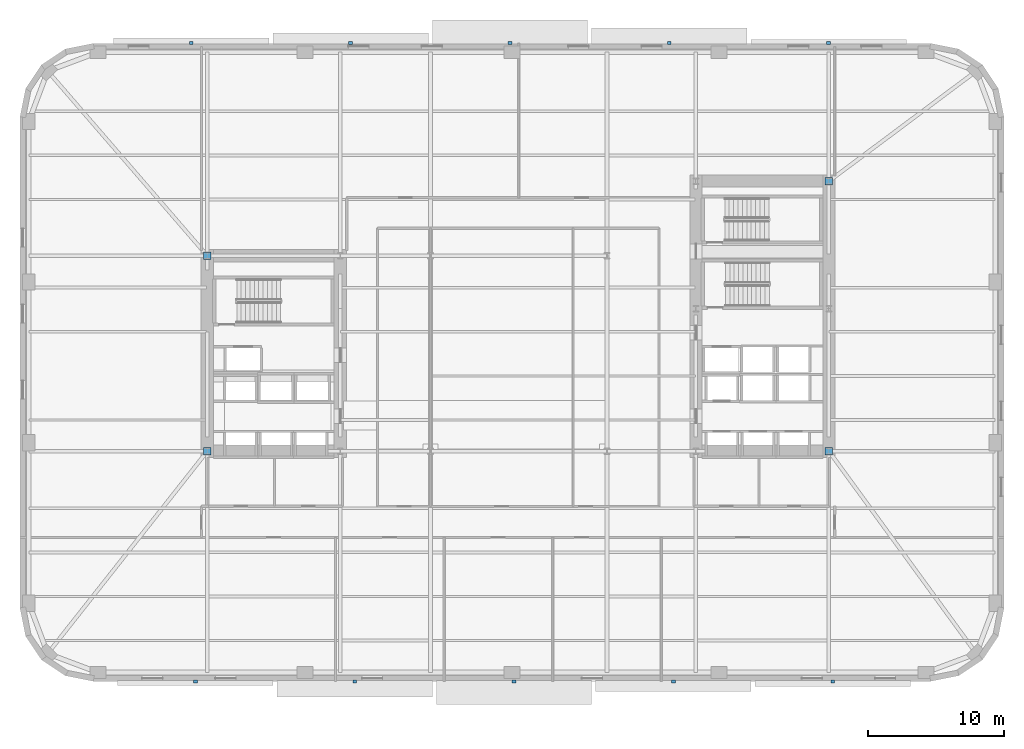
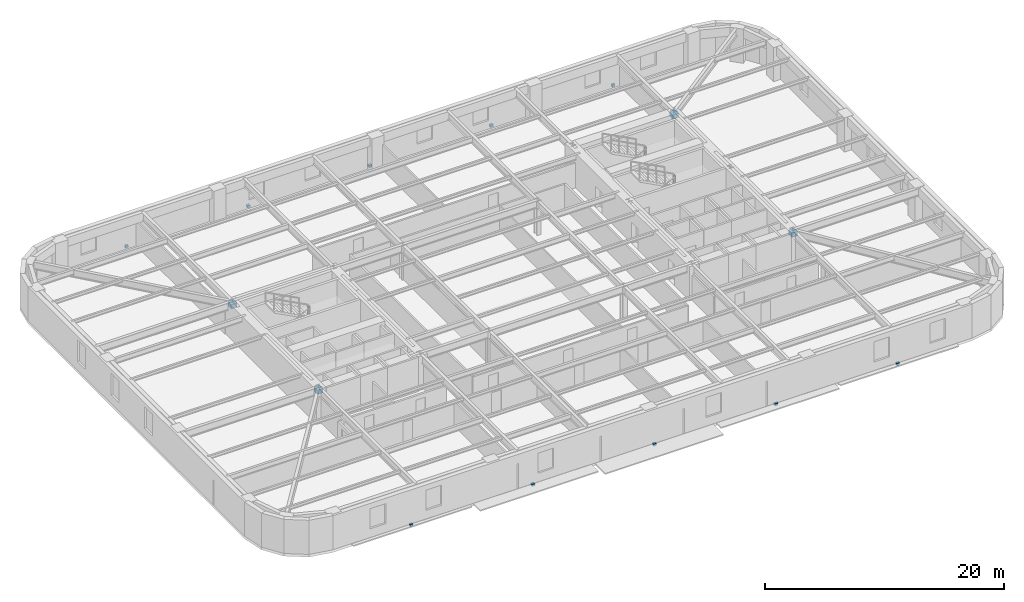
# One storey, part 8 of 14: 14 discrete accessories.
"""IFC4 building model written with IfcOpenShell, lengths in metres."""

import ifcopenshell
import ifcopenshell.guid

model = None  # the IFC model being written
_history = None  # IfcOwnerHistory: only IFC2X3 demands one
_inside = {}  # id of a spatial element -> (the spatial element, [elements in it])
_under = {}  # id of a project, library or spatial element -> (it, [spatial elements below it])
_declared = {}  # id of a project -> (the project, [libraries it declares])
_typed = {}  # id of a type object -> (the type object, [elements of that type])
_made_of = {}  # id of a material, layer set ... -> (it, [elements and type objects made of it])


def new_model(schema):
    """Start an empty IFC model of exactly this schema.

    Asked for "IFC4X3", IfcOpenShell would pick the latest addendum, in which some entities
    have other attributes; the version numbers below select the first issue.
    IFC2X3 requires an IfcOwnerHistory on every rooted entity: one is made here for all.
    """
    global model, _history
    if schema == "IFC4X3":
        model = ifcopenshell.file(schema_version=(4, 3, 0, 0))
    else:
        model = ifcopenshell.file(schema=schema)
    _inside.clear()
    _under.clear()
    _declared.clear()
    _typed.clear()
    _made_of.clear()
    _history = None
    if model.schema == "IFC2X3":
        org = make("IfcOrganization", Name="unknown")
        user = make(
            "IfcPersonAndOrganization",
            ThePerson=make("IfcPerson", FamilyName="unknown"),
            TheOrganization=org,
        )
        app = make(
            "IfcApplication",
            ApplicationDeveloper=org,
            Version="unknown",
            ApplicationFullName="unknown",
            ApplicationIdentifier="unknown",
        )
        _history = make(
            "IfcOwnerHistory",
            OwningUser=user,
            OwningApplication=app,
            ChangeAction="ADDED",
            CreationDate=0,
        )
    return model


def make(cls, **values):
    """One entity of the class cls with the attributes given. An attribute that is None is left unset."""
    return model.create_entity(
        cls, **{name: value for name, value in values.items() if value is not None}
    )


def rooted(cls, **values):
    """An entity with a GlobalId (a new one), such as an element, a storey or a relation."""
    return make(cls, GlobalId=ifcopenshell.guid.new(), OwnerHistory=_history, **values)


def si_unit(unit_type, name, prefix=None):
    """IfcSIUnit, for example si_unit("LENGTHUNIT", "METRE", prefix="MILLI")."""
    return make("IfcSIUnit", UnitType=unit_type, Prefix=prefix, Name=name)


def assignment(units):
    """IfcUnitAssignment: the units of a project."""
    return None if units is None else make("IfcUnitAssignment", Units=units)


def point(xyz):
    """IfcCartesianPoint."""
    return None if xyz is None else make("IfcCartesianPoint", Coordinates=xyz)


def direction(xyz):
    """IfcDirection."""
    return None if xyz is None else make("IfcDirection", DirectionRatios=xyz)


def frame(location, z_axis=None, x_axis=None):
    """IfcAxis2Placement3D, a coordinate frame: its origin and axes. An axis left out is left unset."""
    return make(
        "IfcAxis2Placement3D",
        Location=point(location),
        Axis=direction(z_axis),
        RefDirection=direction(x_axis),
    )


def frame_2d(location, x_axis=None):
    """IfcAxis2Placement2D, a coordinate frame in the plane: its origin and x axis."""
    return make(
        "IfcAxis2Placement2D", Location=point(location), RefDirection=direction(x_axis)
    )


def origin():
    """The frame at (0, 0, 0) with its axes left unset."""
    return frame((0.0, 0.0, 0.0))


def origin_2d():
    """The frame at (0, 0) in the plane with its x axis left unset."""
    return frame_2d((0.0, 0.0))


def place(relative_to, where):
    """IfcLocalPlacement: puts the frame where relative to a parent placement (None: the world)."""
    return make(
        "IfcLocalPlacement", PlacementRelTo=relative_to, RelativePlacement=where
    )


def context(
    kind, dimensions, precision=None, world=None, true_north=None, identifier=None
):
    """IfcGeometricRepresentationContext, for example the 3D "Model" context."""
    return make(
        "IfcGeometricRepresentationContext",
        ContextIdentifier=identifier,
        ContextType=kind,
        CoordinateSpaceDimension=dimensions,
        Precision=precision,
        WorldCoordinateSystem=world,
        TrueNorth=true_north,
    )


def subcontext(parent, identifier, kind, view, scale=None):
    """IfcGeometricRepresentationSubContext, for example "Body" below "Model"."""
    return make(
        "IfcGeometricRepresentationSubContext",
        ContextIdentifier=identifier,
        ContextType=kind,
        ParentContext=parent,
        TargetScale=scale,
        TargetView=view,
    )


def project(units=None, contexts=None):
    """IfcProject with its units and contexts."""
    return rooted(
        "IfcProject",
        Name="project",
        RepresentationContexts=contexts,
        UnitsInContext=assignment(units),
    )


def spatial(cls, under=None, at=None, **own):
    """A site, building, storey or space (cls), placed at a placement, below another one or the project."""
    s = rooted(cls, ObjectPlacement=at, **own)
    if under is not None:
        _under.setdefault(under.id(), (under, []))[1].append(s)
    return s


def profile(cls, at=None, kind="AREA", **sizes):
    """A parametric profile (cls). Its sizes go by their IFC names, for example OverallWidth=200.0."""
    return make(cls, ProfileType=kind, Position=at, **sizes)


def rectangle(**sizes):
    """IfcRectangleProfileDef."""
    return profile("IfcRectangleProfileDef", **sizes)


def extrude(swept, where, along, depth):
    """IfcExtrudedAreaSolid: the profile swept, set in the frame where, extruded along a direction by depth."""
    return make(
        "IfcExtrudedAreaSolid",
        SweptArea=swept,
        Position=where,
        ExtrudedDirection=direction(along),
        Depth=depth,
    )


def shape(context_of_items, identifier, shape_type, items):
    """IfcShapeRepresentation: the items that make up one representation, for example the "Body"."""
    return make(
        "IfcShapeRepresentation",
        ContextOfItems=context_of_items,
        RepresentationIdentifier=identifier,
        RepresentationType=shape_type,
        Items=items,
    )


def material(Name=None, Category=None):
    """IfcMaterial."""
    return make("IfcMaterial", Name=Name, Category=Category)


def made_of(thing, what):
    """Note that an element or type object is made of a material, layer set ...; save() writes the relation."""
    if what is not None:
        _made_of.setdefault(what.id(), (what, []))[1].append(thing)
    return thing


def type_object(cls, material=None, **own):
    """A type object (cls), such as IfcWallType, which elements share."""
    return made_of(rooted(cls, **own), material)


def element(
    cls,
    number,
    at=None,
    inside=None,
    cuts=None,
    type_object=None,
    material=None,
    context=None,
    identifier="Body",
    shape_type=None,
    held_by="IfcProductDefinitionShape",
    body=None,
    shapes=None,
    **own,
):
    """One element of the class cls, such as IfcWall. Its Tag is "e" and its number.

    at: its placement. inside: the storey or other place that contains it. cuts: it is an
    opening in that element (IfcRelVoidsElement). A single representation is given by context,
    identifier, shape_type and body (its items); several are given by shapes. held_by: the class
    of the entity that holds the representations. save() writes the other relations.
    """
    e = rooted(cls, Tag="e%d" % number, ObjectPlacement=at, **own)
    if body is not None:
        shapes = [shape(context, identifier, shape_type, body)]
    if shapes is not None:
        e.Representation = make(held_by, Representations=shapes)
    if inside is not None:
        _inside.setdefault(inside.id(), (inside, []))[1].append(e)
    if cuts is not None:
        rooted(
            "IfcRelVoidsElement", RelatingBuildingElement=cuts, RelatedOpeningElement=e
        )
    if type_object is not None:
        _typed.setdefault(type_object.id(), (type_object, []))[1].append(e)
    return made_of(e, material)


def aggregate(whole, parts):
    """IfcRelAggregates: a whole, such as a stair, and the parts it consists of."""
    return rooted("IfcRelAggregates", RelatingObject=whole, RelatedObjects=parts)


def save(model, path):
    """Write the relations noted so far, then the file.

    IfcRelAggregates (storeys below a building ...), IfcRelContainedInSpatialStructure (elements
    in a storey), IfcRelDefinesByType, IfcRelAssociatesMaterial and IfcRelDeclares: one each for
    every whole, place, type object, material and project.
    """
    for whole, parts in _under.values():
        aggregate(whole, parts)
    for where, things in _inside.values():
        rooted(
            "IfcRelContainedInSpatialStructure",
            RelatedElements=things,
            RelatingStructure=where,
        )
    for kind, things in _typed.values():
        rooted("IfcRelDefinesByType", RelatedObjects=things, RelatingType=kind)
    for what, things in _made_of.values():
        rooted("IfcRelAssociatesMaterial", RelatedObjects=things, RelatingMaterial=what)
    for by, libraries in _declared.values():
        rooted("IfcRelDeclares", RelatingContext=by, RelatedDefinitions=libraries)
    model.write(path)


model = new_model("IFC4")

# Units and contexts
model_context = context("Model", 3, precision=1e-05, world=origin(), true_north=direction((0.0, 1.0)))
body_context = subcontext(model_context, "Body", "Model", "MODEL_VIEW")
ifc_project = project(units=[si_unit("LENGTHUNIT", "METRE"), si_unit("AREAUNIT", "SQUARE_METRE"), si_unit("VOLUMEUNIT", "CUBIC_METRE"), si_unit("PLANEANGLEUNIT", "RADIAN"), si_unit("MASSUNIT", "GRAM", prefix="KILO")], contexts=[model_context])

# Site, building, storey
site_placement = place(None, origin())
site = spatial("IfcSite", under=ifc_project, at=site_placement, CompositionType="ELEMENT")
building_placement = place(site_placement, origin())
building = spatial("IfcBuilding", under=site, at=building_placement, Name="Kolvaren Arena Tower", CompositionType="ELEMENT")
storey_placement = place(building_placement, frame((0.0, 0.0, 57.0)))
storey = spatial("IfcBuildingStorey", under=building, at=storey_placement, Name="L11", CompositionType="ELEMENT", Elevation=57.0)

# Discrete accessories
ifc_material_1 = material(Name="Stainless steel facade support bracket", Category="steel")
discrete_accessory_type_1 = type_object("IfcDiscreteAccessoryType", Name="ACC-BRKT-1", PredefinedType="BRACKET", material=ifc_material_1)
for number, where, z_axis, x_axis, name in (
    (1, (13.3701171875, 49.52001953125, -0.18017578125), (0.0, 0.0, 1.0), (1.0, 0.0, 0.0), "Sunshade Support Bracket (L11)"),
    (2, (25.110107421875, 49.52001953125, -0.18017578125), (0.0, 0.0, 1.0), (1.0, 0.0, 0.0), "Sunshade Support Bracket (L11)"),
    (3, (36.85009765625, 49.52001953125, -0.18017578125), (0.0, 0.0, 1.0), (1.0, 0.0, 0.0), "Sunshade Support Bracket (L11)"),
    (4, (48.590087890625, 49.52001953125, -0.18017578125), (0.0, 0.0, 1.0), (1.0, 0.0, 0.0), "Sunshade Support Bracket (L11)"),
    (5, (60.330078125, 49.52001953125, -0.18017578125), (0.0, 0.0, 1.0), (1.0, 0.0, 0.0), "Sunshade Support Bracket (L11)"),
    (6, (60.6298828125, 2.47998046875, -0.18017578125), (0.0, 0.0, 1.0), (-1.0, 0.0, 0.0), "Sunshade Support Bracket (L11)"),
    (7, (48.889892578125, 2.47998046875, -0.18017578125), (0.0, 0.0, 1.0), (-1.0, 0.0, 0.0), "Sunshade Support Bracket (L11)"),
    (8, (37.14990234375, 2.47998046875, -0.18017578125), (0.0, 0.0, 1.0), (-1.0, 0.0, 0.0), "Sunshade Support Bracket (L11)"),
    (9, (25.409912109375, 2.47998046875, -0.18017578125), (0.0, 0.0, 1.0), (-1.0, 0.0, 0.0), "Sunshade Support Bracket (L11)"),
    (10, (13.669921875, 2.47998046875, -0.18017578125), (0.0, 0.0, 1.0), (-1.0, 0.0, 0.0), "Sunshade Support Bracket (L11)"),
):
    element("IfcDiscreteAccessory", number, at=place(storey_placement, frame(where, z_axis=z_axis, x_axis=x_axis)), inside=storey, type_object=discrete_accessory_type_1, Name=name, PredefinedType="BRACKET", context=body_context, shape_type="SweptSolid", body=[
        extrude(rectangle(XDim=0.280029296875, YDim=0.239990234375, at=origin_2d()), origin(), (0.0, 0.0, 1.0), 0.239990234375),
    ])
ifc_material_2 = material(Name="Steel CSA G40.21 350W bolted gusset connection", Category="steel")
discrete_accessory_type_2 = type_object("IfcDiscreteAccessoryType", Name="ACC-CONN-1", PredefinedType="BRACKET", material=ifc_material_2)
for number, where, z_axis, x_axis, name in (
    (11, (60.35009765625, 19.449951171875, 2.87353515625), (0.0, 0.0, 1.0), (1.0, 0.0, 0.0), "Core Wall Cast-In Embed Plate EP1 (L11)"),
    (12, (60.35009765625, 39.35009765625, 2.87353515625), (0.0, 0.0, 1.0), (1.0, 0.0, 0.0), "Core Wall Cast-In Embed Plate EP1 (L11)"),
    (13, (14.550048828125, 33.85009765625, 2.87353515625), (0.0, 0.0, 1.0), (1.0, 0.0, 0.0), "Core Wall Cast-In Embed Plate EP1 (L11)"),
    (14, (14.550048828125, 19.449951171875, 2.87353515625), (0.0, 0.0, 1.0), (1.0, 0.0, 0.0), "Core Wall Cast-In Embed Plate EP1 (L11)"),
):
    element("IfcDiscreteAccessory", number, at=place(storey_placement, frame(where, z_axis=z_axis, x_axis=x_axis)), inside=storey, type_object=discrete_accessory_type_2, Name=name, PredefinedType="BRACKET", context=body_context, shape_type="SweptSolid", body=[
        extrude(rectangle(XDim=0.56005859375, YDim=0.56005859375, at=origin_2d()), origin(), (0.0, 0.0, 1.0), 0.43994140625),
    ])

save(model, "model.ifc")
